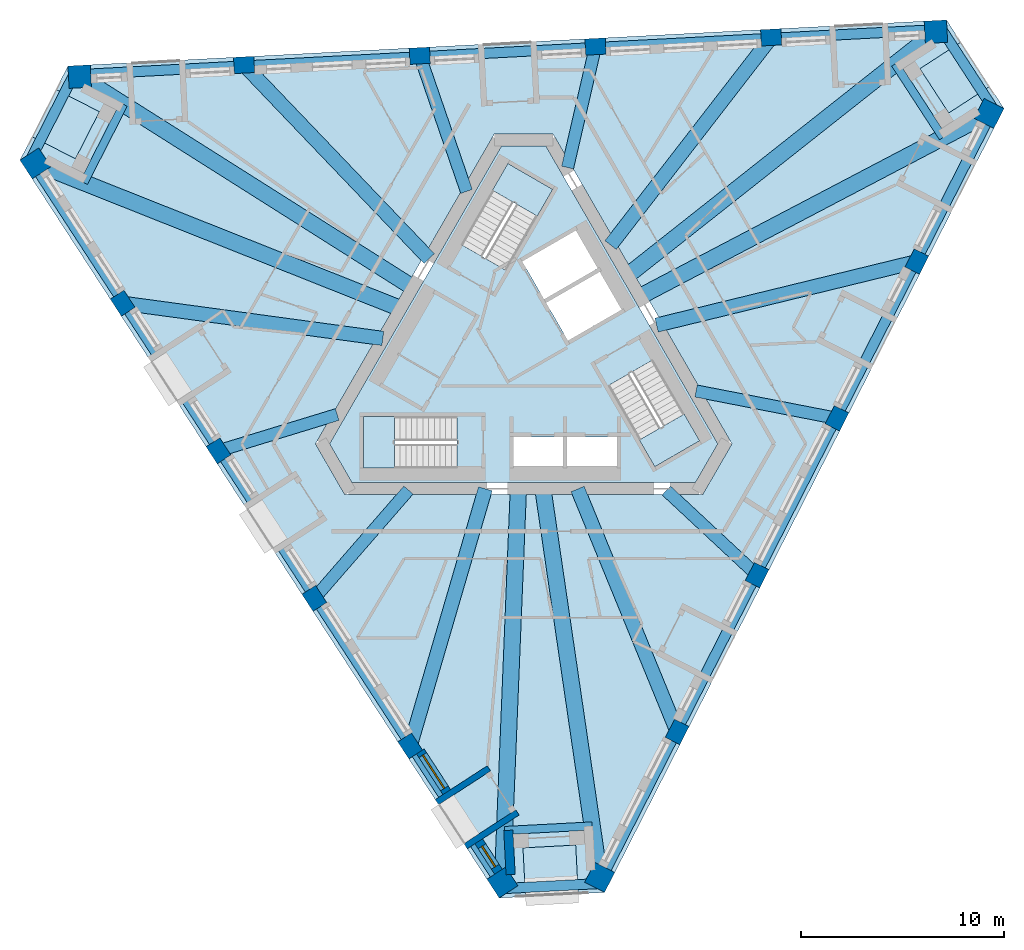
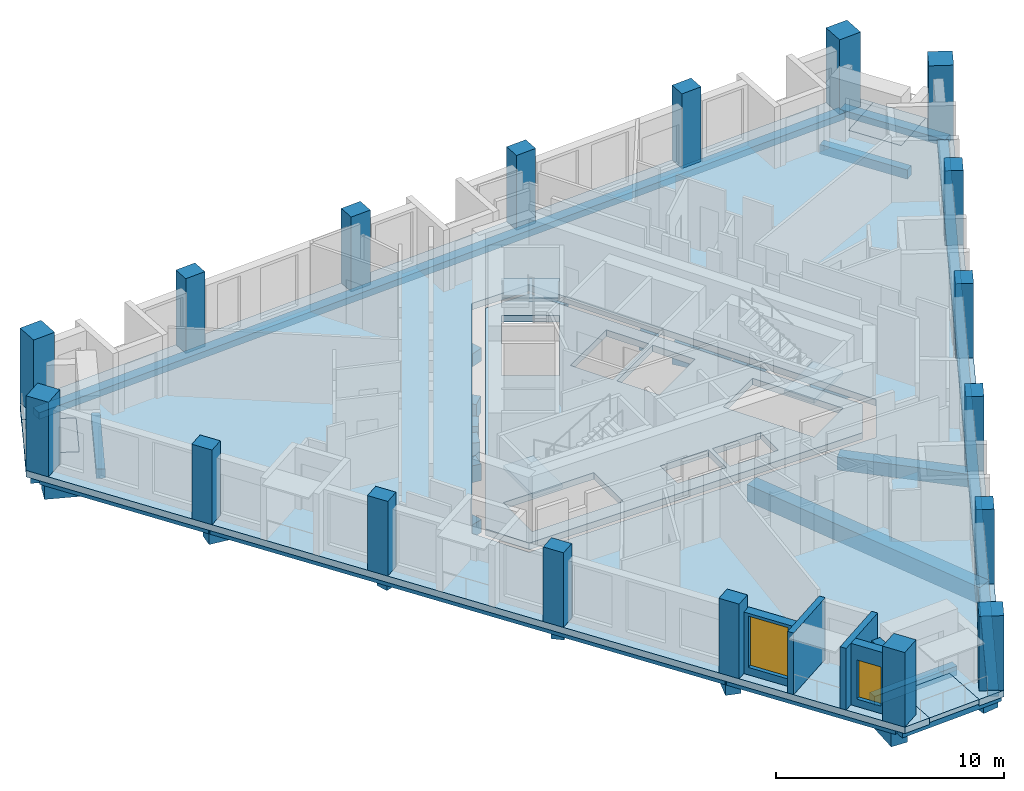
# One storey, part 1 of 13: 27 beams, 18 columns, 8 slabs, 5 walls, 2 windows, 2 openings, 3 elements without a shape of their own.
"""IFC4 building model written with IfcOpenShell, lengths in metres."""

from ifc_helpers import new_model, si_unit, direction, frame, frame_2d, origin, origin_2d, place, context, subcontext, project, spatial, polyline, rectangle, outline, extrude, material, layer, layer_set, material_profile, profile_set, type_object, element, fill, aggregate, save


model = new_model("IFC4")

# Units and contexts
model_context = context("Model", 3, precision=1e-05, world=origin(), true_north=direction((0.0, 1.0)))
body_context = subcontext(model_context, "Body", "Model", "MODEL_VIEW")
ifc_project = project(units=[si_unit("LENGTHUNIT", "METRE"), si_unit("AREAUNIT", "SQUARE_METRE"), si_unit("VOLUMEUNIT", "CUBIC_METRE"), si_unit("PLANEANGLEUNIT", "RADIAN"), si_unit("MASSUNIT", "GRAM", prefix="KILO")], contexts=[model_context])

# Site, building, storey
site_placement = place(None, origin())
site = spatial("IfcSite", under=ifc_project, at=site_placement, CompositionType="ELEMENT")
building_placement = place(site_placement, origin())
building = spatial("IfcBuilding", under=site, at=building_placement, Name="Tramontana Tower", CompositionType="ELEMENT")
storey_placement = place(building_placement, frame((0.0, 0.0, 286.39990234375)))
storey = spatial("IfcBuildingStorey", under=building, at=storey_placement, Name="L67", CompositionType="ELEMENT", Elevation=286.39990234375)

# Columns
ifc_material_1 = material(Name="Concrete 55 MPa", Category="concrete")
ifc_material_profile_1 = material_profile(ifc_material_1, rectangle(XDim=1.10009765625, YDim=1.10009765625, at=origin_2d()), Name="Mega column 1100X1100 55 MPa")
ifc_profile_set_1 = profile_set([ifc_material_profile_1], Name="Concrete 55 MPa")
column_type_1 = type_object("IfcColumnType", Name="Mega column 1100X1100 55 MPa", PredefinedType="COLUMN", material=ifc_profile_set_1)
for number, where, z_axis, x_axis, name in (
    (1, (-24.0302734375, 9.55419921875, 0.0), (0.0, 0.0, 1.0), (0.544639035015, -0.838670567945, 0.0), "Mega column C7K1 L67"),
    (2, (-1.0458984375, -25.8388671875, 0.0), (0.0, 0.0, 1.0), (0.544639035015, -0.838670567945, 0.0), "Mega column C7K2 L67"),
    (3, (3.740966796875, -25.587890625, 0.0), (0.0, 0.0, 1.0), (0.45399049974, 0.891006524188, 0.0), "Mega column C7K3 L67"),
    (4, (22.900146484375, 12.013671875, 0.0), (0.0, 0.0, 1.0), (0.45399049974, 0.891006524188, 0.0), "Mega column C7K4 L67"),
    (5, (20.289306640625, 16.033935546875, 0.0), (0.0, 0.0, 1.0), (-0.998629534755, -0.052335956243, 0.0), "Mega column C7K5 L67"),
    (6, (-21.854248046875, 13.8251953125, 0.0), (0.0, 0.0, 1.0), (-0.998629534755, -0.052335956243, 0.0), "Mega column C7K6 L67"),
):
    element("IfcColumn", number, at=place(storey_placement, frame(where, z_axis=z_axis, x_axis=x_axis)), inside=storey, type_object=column_type_1, Name=name, PredefinedType="COLUMN", context=body_context, shape_type="SweptSolid", body=[
        extrude(rectangle(XDim=1.10009765625, YDim=1.10009765625, at=origin_2d()), origin(), (0.0, 0.0, 1.0), 4.0),
    ])
ifc_material_2 = material(Name="Concrete 55 MPa", Category="concrete")
ifc_material_profile_2 = material_profile(ifc_material_2, rectangle(XDim=1.0, YDim=0.800048828125, at=origin_2d()), Name="Pier column 1000X800 55 MPa")
ifc_profile_set_2 = profile_set([ifc_material_profile_2], Name="Concrete 55 MPa")
column_type_2 = type_object("IfcColumnType", Name="Pier column 1000X800 55 MPa", PredefinedType="COLUMN", material=ifc_profile_set_2)
for number, where, z_axis, x_axis, name in (
    (7, (-19.739013671875, 2.670654296875, 0.0), (0.0, 0.0, 1.0), (0.544639035015, -0.838670567945, 0.0), "Pier column C7F01 L67"),
    (8, (-15.022216796875, -4.592529296875, 0.0), (0.0, 0.0, 1.0), (0.544639035015, -0.838670567945, 0.0), "Pier column C7F02 L67"),
    (9, (-10.3056640625, -11.855712890625, 0.0), (0.0, 0.0, 1.0), (0.544639035015, -0.838670567945, 0.0), "Pier column C7F03 L67"),
    (10, (-5.5888671875, -19.11865234375, 0.0), (0.0, 0.0, 1.0), (0.544639035015, -0.838670567945, 0.0), "Pier column C7F04 L67"),
    (11, (7.556640625, -18.4296875, 0.0), (0.0, 0.0, 1.0), (0.45399049974, 0.891006524188, 0.0), "Pier column C7F05 L67"),
    (12, (11.48828125, -10.71337890625, 0.0), (0.0, 0.0, 1.0), (0.45399049974, 0.891006524188, 0.0), "Pier column C7F06 L67"),
    (13, (15.419921875, -2.9970703125, 0.0), (0.0, 0.0, 1.0), (0.45399049974, 0.891006524188, 0.0), "Pier column C7F07 L67"),
    (14, (19.351806640625, 4.71923828125, 0.0), (0.0, 0.0, 1.0), (0.45399049974, 0.891006524188, 0.0), "Pier column C7F08 L67"),
    (15, (12.182373046875, 15.75927734375, 0.0), (0.0, 0.0, 1.0), (-0.998629534755, -0.052335956243, 0.0), "Pier column C7F09 L67"),
    (16, (3.533935546875, 15.305908203125, 0.0), (0.0, 0.0, 1.0), (-0.998629534755, -0.052335956243, 0.0), "Pier column C7F10 L67"),
    (17, (-5.114501953125, 14.852783203125, 0.0), (0.0, 0.0, 1.0), (-0.998629534755, -0.052335956243, 0.0), "Pier column C7F11 L67"),
    (18, (-13.762939453125, 14.3994140625, 0.0), (0.0, 0.0, 1.0), (-0.998629534755, -0.052335956243, 0.0), "Pier column C7F12 L67"),
):
    element("IfcColumn", number, at=place(storey_placement, frame(where, z_axis=z_axis, x_axis=x_axis)), inside=storey, type_object=column_type_2, Name=name, PredefinedType="COLUMN", context=body_context, shape_type="SweptSolid", body=[
        extrude(rectangle(XDim=1.0, YDim=0.800048828125, at=origin_2d()), origin(), (0.0, 0.0, 1.0), 4.0),
    ])

# Beams
ifc_material_3 = material(Name="Concrete 40 MPa", Category="concrete")
ifc_material_profile_3 = material_profile(ifc_material_3, rectangle(XDim=0.5, YDim=0.35009765625, at=origin_2d()), Name="RC EDGE BEAM 500X350 40 MPa")
ifc_profile_set_3 = profile_set([ifc_material_profile_3], Name="Concrete 40 MPa")
beam_type_1 = type_object("IfcBeamType", Name="RC EDGE BEAM 500X350 40 MPa", PredefinedType="SPANDREL", material=ifc_profile_set_3)
beam_1_placement = place(storey_placement, frame((-24.1142578125, 9.499755859375, -0.52490234375), z_axis=(0.544636517119, -0.838672203081, 0.0), x_axis=(0.838672203081, 0.544636517119, 0.0)))
element("IfcBeam", 19, at=beam_1_placement, inside=storey, type_object=beam_type_1, Name="Spandrel beam S0 L67", PredefinedType="SPANDREL", context=body_context, shape_type="SweptSolid", body=[
    extrude(rectangle(XDim=0.5, YDim=0.35009765625, at=origin_2d()), origin(), (0.0, 0.0, 1.0), 42.201416015625),
])
beam_2_placement = place(storey_placement, frame((3.830078125, -25.63330078125, -0.52490234375), z_axis=(0.453990170761, 0.891006691811, 0.0), x_axis=(-0.891006691811, 0.453990170761, 0.0)))
element("IfcBeam", 20, at=beam_2_placement, inside=storey, type_object=beam_type_1, Name="Spandrel beam S1 L67", PredefinedType="SPANDREL", context=body_context, shape_type="SweptSolid", body=[
    extrude(rectangle(XDim=0.5, YDim=0.35009765625, at=origin_2d()), origin(), (0.0, 0.0, 1.0), 42.201171875),
])
beam_3_placement = place(storey_placement, frame((20.2841796875, 16.1337890625, -0.52490234375), z_axis=(-0.998629423141, -0.052338085918, 0.0), x_axis=(0.052338085918, -0.998629423141, 0.0)))
element("IfcBeam", 21, at=beam_3_placement, inside=storey, type_object=beam_type_1, Name="Spandrel beam S2 L67", PredefinedType="SPANDREL", context=body_context, shape_type="SweptSolid", body=[
    extrude(rectangle(XDim=0.5, YDim=0.35009765625, at=origin_2d()), origin(), (0.0, 0.0, 1.0), 42.201416015625),
])
for number, where, z_axis, x_axis, name in (
    (22, (-22.03125, 14.141357421875, -0.52490234375), (-0.453966603753, -0.891018699398, 0.0), (0.891018699398, -0.453966603753, 0.0), "Spandrel beam K0 L67"),
    (23, (-1.231201171875, -26.150390625, -0.52490234375), (0.99862935635, 0.05233936029, 0.0), (-0.05233936029, 0.99862935635, 0.0), "Spandrel beam K1 L67"),
    (24, (23.262451171875, 12.0087890625, -0.52490234375), (-0.544641495757, 0.838668969916, 0.0), (-0.838668969916, -0.544641495757, 0.0), "Spandrel beam K2 L67"),
):
    element("IfcBeam", number, at=place(storey_placement, frame(where, z_axis=z_axis, x_axis=x_axis)), inside=storey, type_object=beam_type_1, Name=name, PredefinedType="SPANDREL", context=body_context, shape_type="SweptSolid", body=[
        extrude(rectangle(XDim=0.5, YDim=0.35009765625, at=origin_2d()), origin(), (0.0, 0.0, 1.0), 5.1962890625),
    ])
ifc_material_4 = material(Name="Concrete 40 MPa", Category="concrete")
ifc_material_profile_4 = material_profile(ifc_material_4, rectangle(XDim=0.60009765625, YDim=0.699951171875, at=origin_2d()), Name="RC GIRDER 600X700 40 MPa")
ifc_profile_set_4 = profile_set([ifc_material_profile_4], Name="Concrete 40 MPa")
beam_type_2 = type_object("IfcBeamType", Name="RC GIRDER 600X700 40 MPa", PredefinedType="BEAM", material=ifc_profile_set_4)
beam_4_placement = place(storey_placement, frame((-15.022216796875, -4.592529296875, -0.699951171875), z_axis=(0.956311245936, 0.292350476137, 0.0), x_axis=(-0.292350476137, 0.956311245936, 0.0)))
element("IfcBeam", 25, at=beam_4_placement, inside=storey, type_object=beam_type_2, Name="Radial girder C7F02 L67", PredefinedType="BEAM", context=body_context, shape_type="SweptSolid", body=[
    extrude(rectangle(XDim=0.60009765625, YDim=0.699951171875, at=origin_2d()), origin(), (0.0, 0.0, 1.0), 6.111328125),
])
beam_5_placement = place(storey_placement, frame((-10.3056640625, -11.855712890625, -0.699951171875), z_axis=(0.656054652409, 0.754713384705, 0.0), x_axis=(-0.754713384705, 0.656054652409, 0.0)))
element("IfcBeam", 26, at=beam_5_placement, inside=storey, type_object=beam_type_2, Name="Radial girder C7F03 L67", PredefinedType="BEAM", context=body_context, shape_type="SweptSolid", body=[
    extrude(rectangle(XDim=0.60009765625, YDim=0.699951171875, at=origin_2d()), origin(), (0.0, 0.0, 1.0), 7.06494140625),
])
beam_6_placement = place(storey_placement, frame((11.48828125, -10.71337890625, -0.699951171875), z_axis=(-0.731344808312, 0.682007896843, 0.0), x_axis=(-0.682007896843, -0.731344808312, 0.0)))
element("IfcBeam", 27, at=beam_6_placement, inside=storey, type_object=beam_type_2, Name="Radial girder C7F06 L67", PredefinedType="BEAM", context=body_context, shape_type="SweptSolid", body=[
    extrude(rectangle(XDim=0.60009765625, YDim=0.699951171875, at=origin_2d()), origin(), (0.0, 0.0, 1.0), 6.111328125),
])
beam_7_placement = place(storey_placement, frame((15.419921875, -2.9970703125, -0.699951171875), z_axis=(-0.981630853668, 0.190790112761, 0.0), x_axis=(-0.190790112761, -0.981630853668, 0.0)))
element("IfcBeam", 28, at=beam_7_placement, inside=storey, type_object=beam_type_2, Name="Radial girder C7F07 L67", PredefinedType="BEAM", context=body_context, shape_type="SweptSolid", body=[
    extrude(rectangle(XDim=0.60009765625, YDim=0.699951171875, at=origin_2d()), origin(), (0.0, 0.0, 1.0), 7.06494140625),
])
beam_8_placement = place(storey_placement, frame((3.533935546875, 15.305908203125, -0.699951171875), z_axis=(-0.224955788451, -0.974368971818, 0.0), x_axis=(0.974368971818, -0.224955788451, 0.0)))
element("IfcBeam", 29, at=beam_8_placement, inside=storey, type_object=beam_type_2, Name="Radial girder C7F10 L67", PredefinedType="BEAM", context=body_context, shape_type="SweptSolid", body=[
    extrude(rectangle(XDim=0.60009765625, YDim=0.699951171875, at=origin_2d()), origin(), (0.0, 0.0, 1.0), 6.111328125),
])
beam_9_placement = place(storey_placement, frame((-5.114501953125, 14.852783203125, -0.699951171875), z_axis=(0.325583843266, -0.945513173364, 0.0), x_axis=(0.945513173364, 0.325583843266, 0.0)))
element("IfcBeam", 30, at=beam_9_placement, inside=storey, type_object=beam_type_2, Name="Radial girder C7F11 L67", PredefinedType="BEAM", context=body_context, shape_type="SweptSolid", body=[
    extrude(rectangle(XDim=0.60009765625, YDim=0.699951171875, at=origin_2d()), origin(), (0.0, 0.0, 1.0), 7.065185546875),
])
ifc_material_5 = material(Name="Concrete 40 MPa", Category="concrete")
ifc_material_profile_5 = material_profile(ifc_material_5, rectangle(XDim=0.699951171875, YDim=0.89990234375, at=origin_2d()), Name="RC GIRDER 700X900 40 MPa")
ifc_profile_set_5 = profile_set([ifc_material_profile_5], Name="Concrete 40 MPa")
beam_type_3 = type_object("IfcBeamType", Name="RC GIRDER 700X900 40 MPa", PredefinedType="BEAM", material=ifc_profile_set_5)
beam_10_placement = place(storey_placement, frame((-19.739013671875, 2.670654296875, -0.7998046875), z_axis=(0.990971820042, -0.134070324396, 0.0), x_axis=(0.134070324396, 0.990971820042, 0.0)))
element("IfcBeam", 31, at=beam_10_placement, inside=storey, type_object=beam_type_3, Name="Radial girder C7F01 L67", PredefinedType="BEAM", context=body_context, shape_type="SweptSolid", body=[
    extrude(rectangle(XDim=0.699951171875, YDim=0.89990234375, at=origin_2d()), origin(), (0.0, 0.0, 1.0), 12.923583984375),
])
beam_11_placement = place(storey_placement, frame((-5.5888671875, -19.11865234375, -0.7998046875), z_axis=(0.280592184152, 0.959827081402, 0.0), x_axis=(-0.959827081402, 0.280592184152, 0.0)))
element("IfcBeam", 32, at=beam_11_placement, inside=storey, type_object=beam_type_3, Name="Radial girder C7F04 L67", PredefinedType="BEAM", context=body_context, shape_type="SweptSolid", body=[
    extrude(rectangle(XDim=0.699951171875, YDim=0.89990234375, at=origin_2d()), origin(), (0.0, 0.0, 1.0), 13.186279296875),
])
beam_12_placement = place(storey_placement, frame((7.556640625, -18.4296875, -0.7998046875), z_axis=(-0.379376408021, 0.925242422848, 0.0), x_axis=(-0.925242422848, -0.379376408021, 0.0)))
element("IfcBeam", 33, at=beam_12_placement, inside=storey, type_object=beam_type_3, Name="Radial girder C7F05 L67", PredefinedType="BEAM", context=body_context, shape_type="SweptSolid", body=[
    extrude(rectangle(XDim=0.699951171875, YDim=0.89990234375, at=origin_2d()), origin(), (0.0, 0.0, 1.0), 12.92333984375),
])
beam_13_placement = place(storey_placement, frame((19.351806640625, 4.71923828125, -0.7998046875), z_axis=(-0.971531149173, -0.2369118532, 0.0), x_axis=(0.2369118532, -0.971531149173, 0.0)))
element("IfcBeam", 34, at=beam_13_placement, inside=storey, type_object=beam_type_3, Name="Radial girder C7F08 L67", PredefinedType="BEAM", context=body_context, shape_type="SweptSolid", body=[
    extrude(rectangle(XDim=0.699951171875, YDim=0.89990234375, at=origin_2d()), origin(), (0.0, 0.0, 1.0), 13.1865234375),
])
beam_14_placement = place(storey_placement, frame((12.182373046875, 15.75927734375, -0.7998046875), z_axis=(-0.611594268049, -0.791171568808, 0.0), x_axis=(0.791171568808, -0.611594268049, 0.0)))
element("IfcBeam", 35, at=beam_14_placement, inside=storey, type_object=beam_type_3, Name="Radial girder C7F09 L67", PredefinedType="BEAM", context=body_context, shape_type="SweptSolid", body=[
    extrude(rectangle(XDim=0.699951171875, YDim=0.89990234375, at=origin_2d()), origin(), (0.0, 0.0, 1.0), 12.923583984375),
])
beam_15_placement = place(storey_placement, frame((-13.762939453125, 14.3994140625, -0.7998046875), z_axis=(0.69094809316, -0.722904373039, 0.0), x_axis=(0.722904373039, 0.69094809316, 0.0)))
element("IfcBeam", 36, at=beam_15_placement, inside=storey, type_object=beam_type_3, Name="Radial girder C7F12 L67", PredefinedType="BEAM", context=body_context, shape_type="SweptSolid", body=[
    extrude(rectangle(XDim=0.699951171875, YDim=0.89990234375, at=origin_2d()), origin(), (0.0, 0.0, 1.0), 13.186279296875),
])
ifc_material_6 = material(Name="Concrete 40 MPa", Category="concrete")
ifc_material_profile_6 = material_profile(ifc_material_6, rectangle(XDim=0.800048828125, YDim=1.10009765625, at=origin_2d()), Name="RC GIRDER 800X1100 40 MPa")
ifc_profile_set_6 = profile_set([ifc_material_profile_6], Name="Concrete 40 MPa")
beam_type_4 = type_object("IfcBeamType", Name="RC GIRDER 800X1100 40 MPa", PredefinedType="BEAM", material=ifc_profile_set_6)
beam_16_placement = place(storey_placement, frame((-24.030517578125, 9.55419921875, -0.89990234375), z_axis=(0.929246961318, -0.369459178912, 0.0), x_axis=(0.369459178912, 0.929246961318, 0.0)))
element("IfcBeam", 37, at=beam_16_placement, inside=storey, type_object=beam_type_4, Name="Radial girder C7K1 L67", PredefinedType="BEAM", context=body_context, shape_type="SweptSolid", body=[
    extrude(rectangle(XDim=0.800048828125, YDim=1.10009765625, at=origin_2d()), origin(), (0.0, 0.0, 1.0), 19.33837890625),
])
beam_17_placement = place(storey_placement, frame((-1.0458984375, -25.8388671875, -0.89990234375), z_axis=(0.040449893492, 0.999181568143, 0.0), x_axis=(-0.999181568143, 0.040449893492, 0.0)))
element("IfcBeam", 38, at=beam_17_placement, inside=storey, type_object=beam_type_4, Name="Radial girder C7K2 L67", PredefinedType="BEAM", context=body_context, shape_type="SweptSolid", body=[
    extrude(rectangle(XDim=0.800048828125, YDim=1.10009765625, at=origin_2d()), origin(), (0.0, 0.0, 1.0), 19.404541015625),
])
beam_18_placement = place(storey_placement, frame((3.7412109375, -25.587890625, -0.89990234375), z_axis=(-0.144667438406, 0.989480334451, 0.0), x_axis=(-0.989480334451, -0.144667438406, 0.0)))
element("IfcBeam", 39, at=beam_18_placement, inside=storey, type_object=beam_type_4, Name="Radial girder C7K3 L67", PredefinedType="BEAM", context=body_context, shape_type="SweptSolid", body=[
    extrude(rectangle(XDim=0.800048828125, YDim=1.10009765625, at=origin_2d()), origin(), (0.0, 0.0, 1.0), 19.338134765625),
])
beam_19_placement = place(storey_placement, frame((22.89990234375, 12.013671875, -0.89990234375), z_axis=(-0.885538061337, -0.46456683257, 0.0), x_axis=(0.46456683257, -0.885538061337, 0.0)))
element("IfcBeam", 40, at=beam_19_placement, inside=storey, type_object=beam_type_4, Name="Radial girder C7K4 L67", PredefinedType="BEAM", context=body_context, shape_type="SweptSolid", body=[
    extrude(rectangle(XDim=0.800048828125, YDim=1.10009765625, at=origin_2d()), origin(), (0.0, 0.0, 1.0), 19.404296875),
])
beam_20_placement = place(storey_placement, frame((20.289306640625, 16.03369140625, -0.89990234375), z_axis=(-0.784585689125, -0.620020400003, 0.0), x_axis=(0.620020400003, -0.784585689125, 0.0)))
element("IfcBeam", 41, at=beam_20_placement, inside=storey, type_object=beam_type_4, Name="Radial girder C7K5 L67", PredefinedType="BEAM", context=body_context, shape_type="SweptSolid", body=[
    extrude(rectangle(XDim=0.800048828125, YDim=1.10009765625, at=origin_2d()), origin(), (0.0, 0.0, 1.0), 19.338134765625),
])
beam_21_placement = place(storey_placement, frame((-21.85400390625, 13.8251953125, -0.89990234375), z_axis=(0.845090437102, -0.53462337502, 0.0), x_axis=(0.53462337502, 0.845090437102, 0.0)))
element("IfcBeam", 42, at=beam_21_placement, inside=storey, type_object=beam_type_4, Name="Radial girder C7K6 L67", PredefinedType="BEAM", context=body_context, shape_type="SweptSolid", body=[
    extrude(rectangle(XDim=0.800048828125, YDim=1.10009765625, at=origin_2d()), origin(), (0.0, 0.0, 1.0), 19.404296875),
])
ifc_material_7 = material(Name="Concrete 40 MPa", Category="concrete")
ifc_material_profile_7 = material_profile(ifc_material_7, rectangle(XDim=0.39990234375, YDim=0.5, at=origin_2d()), Name="RC TRIM BEAM 400X500 40 MPa")
ifc_profile_set_7 = profile_set([ifc_material_profile_7], Name="Concrete 40 MPa")
beam_type_5 = type_object("IfcBeamType", Name="RC TRIM BEAM 400X500 40 MPa", PredefinedType="JOIST", material=ifc_profile_set_7)
for number, where, z_axis, x_axis, name in (
    (43, (-19.69091796875, 12.456787109375, -0.599853515625), (-0.454006220993, -0.890998513635, 0.0), (0.890998513635, -0.454006220993, 0.0), "Trimmer beam K0 L67"),
    (44, (-0.9423828125, -23.28125, -0.599853515625), (0.998629204559, 0.052342256377, 0.0), (-0.052342256377, 0.998629204559, 0.0), "Trimmer beam K1 L67"),
    (45, (20.63330078125, 10.824462890625, -0.599853515625), (-0.544628679426, 0.838677292853, 0.0), (-0.838677292853, -0.544628679426, 0.0), "Trimmer beam K2 L67"),
):
    element("IfcBeam", number, at=place(storey_placement, frame(where, z_axis=z_axis, x_axis=x_axis)), inside=storey, type_object=beam_type_5, Name=name, PredefinedType="JOIST", context=body_context, shape_type="SweptSolid", body=[
        extrude(rectangle(XDim=0.39990234375, YDim=0.5, at=origin_2d()), origin(), (0.0, 0.0, 1.0), 4.319091796875),
    ])

# Slabs
ifc_material_8 = material(Name="Precast concrete 50 MPa", Category="concrete")
ifc_layer_1 = layer(ifc_material_8, 0.25)
ifc_layer_set_1 = layer_set([ifc_layer_1], Name="LT1 Loggia floor tray 250")
slab_type_1 = type_object("IfcSlabType", Name="LT1 Loggia floor tray 250", PredefinedType="FLOOR", material=ifc_layer_set_1)
slab_1_placement = place(storey_placement, frame((0.0, 0.0, -0.25)))
element("IfcSlab", 46, at=slab_1_placement, inside=storey, type_object=slab_type_1, Name="Corner loggia floor L67 K70", PredefinedType="FLOOR", context=body_context, shape_type="SweptSolid", body=[
    extrude(outline(polyline([(-23.021484375, 13.18896484375), (-20.883056640625, 12.099365234375), (-22.0634765625, 9.782958984375), (-24.201904296875, 10.87255859375), (-23.021484375, 13.18896484375)])), origin(), (0.0, 0.0, 1.0), 0.25),
])
slab_2_placement = place(storey_placement, frame((0.0, 0.0, -0.25)))
element("IfcSlab", 47, at=slab_2_placement, inside=storey, type_object=slab_type_1, Name="Corner loggia floor L67 K71", PredefinedType="FLOOR", context=body_context, shape_type="SweptSolid", body=[
    extrude(outline(polyline([(0.088623046875, -26.53173828125), (-0.036865234375, -24.135009765625), (2.5595703125, -23.9990234375), (2.68505859375, -26.395751953125), (0.088623046875, -26.53173828125)])), origin(), (0.0, 0.0, 1.0), 0.25),
])
slab_3_placement = place(storey_placement, frame((0.0, 0.0, -0.25)))
element("IfcSlab", 48, at=slab_3_placement, inside=storey, type_object=slab_type_1, Name="Corner loggia floor L67 K72", PredefinedType="FLOOR", context=body_context, shape_type="SweptSolid", body=[
    extrude(outline(polyline([(22.932861328125, 13.3427734375), (20.919921875, 12.03564453125), (19.50390625, 14.216064453125), (21.516845703125, 15.523193359375), (22.932861328125, 13.3427734375)])), origin(), (0.0, 0.0, 1.0), 0.25),
])
ifc_material_9 = material(Name="Concrete 40 MPa", Category="concrete")
ifc_layer_2 = layer(ifc_material_9, 0.35009765625)
ifc_layer_set_2 = layer_set([ifc_layer_2], Name="PT FLAT SLAB 350 40 MPa")
slab_type_2 = type_object("IfcSlabType", Name="PT FLAT SLAB 350 40 MPa", PredefinedType="FLOOR", material=ifc_layer_set_2)
slab_4_placement = place(storey_placement, frame((0.0, 0.0, -0.349853515625)))
element("IfcSlab", 49, at=slab_4_placement, inside=storey, type_object=slab_type_2, Name="Floor slab L67", PredefinedType="FLOOR", context=body_context, shape_type="SweptSolid", body=[
    extrude(outline(polyline([(21.5166015625, 15.523193359375), (19.50390625, 14.216064453125), (20.919921875, 12.035400390625), (22.932861328125, 13.3427734375), (23.639892578125, 12.25390625), (3.9814453125, -26.32763671875), (2.68505859375, -26.3955078125), (2.5595703125, -23.998779296875), (-0.036865234375, -24.135009765625), (0.088623046875, -26.53173828125), (-1.20751953125, -26.599609375), (-24.791259765625, 9.7158203125), (-24.201904296875, 10.872314453125), (-22.0634765625, 9.782958984375), (-20.883056640625, 12.099609375), (-23.021484375, 13.189208984375), (-22.43212890625, 14.345703125), (20.809814453125, 16.61181640625), (21.5166015625, 15.523193359375)]), holes=[polyline([(-10.248046875, -4.25), (-8.8046875, -6.75), (8.8046875, -6.75), (10.248046875, -4.25), (1.443359375, 11.0), (-1.443359375, 11.0), (-10.248046875, -4.25)])]), origin(), (0.0, 0.0, 1.0), 0.349853515625),
])
slab_5_placement = place(storey_placement, frame((0.0, 0.0, -0.349853515625)))
element("IfcSlab", 50, at=slab_5_placement, inside=storey, type_object=slab_type_2, Name="Core floor slab L67", PredefinedType="FLOOR", context=body_context, shape_type="SweptSolid", body=[
    extrude(outline(polyline([(9.55517578125, -4.25), (8.458251953125, -6.14990234375), (-8.458251953125, -6.14990234375), (-9.55517578125, -4.25), (-1.096923828125, 10.39990234375), (1.096923828125, 10.39990234375), (9.55517578125, -4.25)]), holes=[polyline([(8.659912109375, -4.099365234375), (6.35986328125, -0.115478515625), (4.151611328125, -1.390625), (6.451416015625, -5.374267578125), (8.659912109375, -4.099365234375)]), polyline([(3.829833984375, 4.2666015625), (1.101806640625, 2.69140625), (2.177001953125, 0.82958984375), (4.90478515625, 2.404541015625), (3.829833984375, 4.2666015625)]), polyline([(4.590087890625, -3.89990234375), (2.139892578125, -3.89990234375), (2.139892578125, -5.449951171875), (4.590087890625, -5.449951171875), (4.590087890625, -3.89990234375)]), polyline([(2.65478515625, 6.3017578125), (-0.072998046875, 4.726806640625), (1.001953125, 2.86474609375), (3.729736328125, 4.439697265625), (2.65478515625, 6.3017578125)]), polyline([(1.93994140625, -5.449951171875), (1.93994140625, -3.89990234375), (-0.510009765625, -3.89990234375), (-0.510009765625, -5.449951171875), (1.93994140625, -5.449951171875)]), polyline([(-0.77978515625, 9.54931640625), (-3.079833984375, 5.565673828125), (-0.87158203125, 4.29052734375), (1.428466796875, 8.2744140625), (-0.77978515625, 9.54931640625)]), polyline([(-7.8798828125, -5.449951171875), (-3.280029296875, -5.449951171875), (-3.280029296875, -2.89990234375), (-7.8798828125, -2.89990234375), (-7.8798828125, -5.449951171875)])]), origin(), (0.0, 0.0, 1.0), 0.349853515625),
])

# Stair, slab
ifc_material_10 = material(Name="Concrete 40 MPa", Category="concrete")
stair_type = type_object("IfcStairType", Name="EXIT STAIR 24 RISERS", PredefinedType="HALF_TURN_STAIR", material=ifc_material_10)
stair_1_placement = place(storey_placement, origin())
stair_1 = element("IfcStair", 51, at=stair_1_placement, inside=storey, type_object=stair_type, Name="L67 Exit stair ST1", PredefinedType="HALF_TURN_STAIR")
ifc_material_11 = material(Name="Concrete 40 MPa", Category="concrete")
ifc_layer_3 = layer(ifc_material_11, 0.199951171875)
ifc_layer_set_3 = layer_set([ifc_layer_3], Name="STAIR LANDING 200")
slab_type_3 = type_object("IfcSlabType", Name="STAIR LANDING 200", PredefinedType="LANDING", material=ifc_layer_set_3)
slab_6_placement = place(storey_placement, frame((0.0, 0.0, 1.800048828125)))
slab_6 = element("IfcSlab", 52, at=slab_6_placement, type_object=slab_type_3, Name="ST1 landing 1", PredefinedType="LANDING", context=body_context, shape_type="SweptSolid", body=[
    extrude(outline(polyline([(0.66845703125, 6.9580078125), (1.428466796875, 8.274169921875), (-0.77978515625, 9.54931640625), (-1.539794921875, 8.23291015625), (0.66845703125, 6.9580078125)])), origin(), (0.0, 0.0, 1.0), 0.199951171875),
])
aggregate(stair_1, [slab_6])

stair_2_placement = place(storey_placement, origin())
stair_2 = element("IfcStair", 53, at=stair_2_placement, inside=storey, type_object=stair_type, Name="L67 Exit stair ST2", PredefinedType="HALF_TURN_STAIR")
slab_7_placement = place(storey_placement, frame((0.0, 0.0, 1.800048828125)))
slab_7 = element("IfcSlab", 54, at=slab_7_placement, type_object=slab_type_3, Name="ST2 landing 1", PredefinedType="LANDING", context=body_context, shape_type="SweptSolid", body=[
    extrude(outline(polyline([(-6.360107421875, -2.89990234375), (-7.8798828125, -2.89990234375), (-7.8798828125, -5.449951171875), (-6.360107421875, -5.449951171875), (-6.360107421875, -2.89990234375)])), origin(), (0.0, 0.0, 1.0), 0.199951171875),
])
aggregate(stair_2, [slab_7])

stair_3_placement = place(storey_placement, origin())
stair_3 = element("IfcStair", 55, at=stair_3_placement, inside=storey, type_object=stair_type, Name="L67 Exit stair ST3", PredefinedType="HALF_TURN_STAIR")
slab_8_placement = place(storey_placement, frame((0.0, 0.0, 1.800048828125)))
slab_8 = element("IfcSlab", 56, at=slab_8_placement, type_object=slab_type_3, Name="ST3 landing 1", PredefinedType="LANDING", context=body_context, shape_type="SweptSolid", body=[
    extrude(outline(polyline([(5.69140625, -4.057861328125), (6.451416015625, -5.374267578125), (8.659912109375, -4.099365234375), (7.89990234375, -2.782958984375), (5.69140625, -4.057861328125)])), origin(), (0.0, 0.0, 1.0), 0.199951171875),
])
aggregate(stair_3, [slab_8])

# Wall, opening, window
ifc_material_12 = material(Name="Precast concrete 60 MPa", Category="concrete")
ifc_layer_4 = layer(ifc_material_12, 0.449951171875)
ifc_layer_set_4 = layer_set([ifc_layer_4], Name="Precast concrete 60 MPa, 450 mm")
wall_type_1 = type_object("IfcWallType", Name="EW1 Stone-faced precast wall 450", PredefinedType="SOLIDWALL", material=ifc_layer_set_4)
wall_1_placement = place(storey_placement, frame((-5.0859375, -19.38818359375, 0.0), z_axis=(0.0, 0.0, 1.0), x_axis=(0.544675520966, -0.838646872563, 0.0)))
wall_1 = element("IfcWall", 57, at=wall_1_placement, inside=storey, type_object=wall_type_1, Name="External wall L67 face 0 bay 5", PredefinedType="SOLIDWALL", context=body_context, shape_type="SweptSolid", body=[
    extrude(rectangle(XDim=2.38671875, YDim=0.449951171875, at=frame_2d((1.193359375, 0.0))), origin(), (0.0, 0.0, 1.0), 3.300048828125),
])
opening_1_placement = place(wall_1_placement, frame((0.21826171875, 0.0, 0.39990234375)))
opening_1 = element("IfcOpeningElement", 58, at=opening_1_placement, cuts=wall_1, Name="Opening M3", PredefinedType="OPENING", context=body_context, shape_type="SweptSolid", body=[
    extrude(rectangle(XDim=1.949951171875, YDim=2.75, at=frame_2d((0.97509765625, 1.375))), frame((0.0, 0.23486328125, 0.0), z_axis=(0.0, -1.0, 0.0), x_axis=(1.0, 0.0, 0.0)), (0.0, 0.0, 1.0), 0.469970703125),
])
ifc_material_13 = material(Name="Aluminum frame, double glazing unit", Category="aluminium")
window_type_1 = type_object("IfcWindowType", Name="M3 Window 1.95 x 2.75", PartitioningType="SINGLE_PANEL", PredefinedType="WINDOW", material=ifc_material_13)
window_1_placement = place(opening_1_placement, origin())
window_1 = element("IfcWindow", 59, at=window_1_placement, inside=storey, type_object=window_type_1, Name="Window M3 L67 face 0 module 13", OverallHeight=2.75, OverallWidth=1.949951171875, PartitioningType="SINGLE_PANEL", PredefinedType="WINDOW", context=body_context, shape_type="SweptSolid", body=[
    extrude(rectangle(XDim=1.949951171875, YDim=2.75, at=frame_2d((0.97509765625, 1.375))), frame((0.0, 0.030029296875, 0.0), z_axis=(0.0, -1.0, 0.0), x_axis=(1.0, 0.0, 0.0)), (0.0, 0.0, 1.0), 0.06005859375),
])
fill(opening_1, window_1)

wall_2_placement = place(storey_placement, frame((-2.2138671875, -23.81103515625, 0.0), z_axis=(0.0, 0.0, 1.0), x_axis=(0.544632902776, -0.838674550236, 0.0)))
wall_2 = element("IfcWall", 60, at=wall_2_placement, inside=storey, type_object=wall_type_1, Name="External wall L67 face 0 bay 5", PredefinedType="SOLIDWALL", context=body_context, shape_type="SweptSolid", body=[
    extrude(rectangle(XDim=1.786865234375, YDim=0.449951171875, at=frame_2d((0.8935546875, 0.0))), origin(), (0.0, 0.0, 1.0), 3.300048828125),
])
opening_2_placement = place(wall_2_placement, frame((0.29345703125, 0.0, 0.39990234375)))
opening_2 = element("IfcOpeningElement", 61, at=opening_2_placement, cuts=wall_2, Name="Opening N3L", PredefinedType="OPENING", context=body_context, shape_type="SweptSolid", body=[
    extrude(rectangle(XDim=1.199951171875, YDim=2.10009765625, at=frame_2d((0.60009765625, 1.050048828125))), frame((0.0, 0.23486328125, 0.0), z_axis=(0.0, -1.0, 0.0), x_axis=(1.0, 0.0, 0.0)), (0.0, 0.0, 1.0), 0.469970703125),
])
ifc_material_14 = material(Name="Aluminum frame, double glazing unit", Category="aluminium")
window_type_2 = type_object("IfcWindowType", Name="N3L Window 1.2 x 2.1", PartitioningType="SINGLE_PANEL", PredefinedType="WINDOW", material=ifc_material_14)
window_2_placement = place(opening_2_placement, origin())
window_2 = element("IfcWindow", 62, at=window_2_placement, inside=storey, type_object=window_type_2, Name="Window N3L L67 face 0 module 15", OverallHeight=2.10009765625, OverallWidth=1.199951171875, PartitioningType="SINGLE_PANEL", PredefinedType="WINDOW", context=body_context, shape_type="SweptSolid", body=[
    extrude(rectangle(XDim=1.199951171875, YDim=2.10009765625, at=frame_2d((0.60009765625, 1.050048828125))), frame((0.0, 0.030029296875, 0.0), z_axis=(0.0, -1.0, 0.0), x_axis=(1.0, 0.0, 0.0)), (0.0, 0.0, 1.0), 0.06005859375),
])
fill(opening_2, window_2)

# Walls
wall_3_placement = place(storey_placement, frame((-0.64404296875, -25.44775390625, 0.0), z_axis=(0.0, 0.0, 1.0), x_axis=(-0.052317751649, 0.998630488651, 0.0)))
element("IfcWall", 63, at=wall_3_placement, inside=storey, type_object=wall_type_1, Name="Corner loggia side wall L67 K71r", PredefinedType="SOLIDWALL", context=body_context, shape_type="SweptSolid", body=[
    extrude(rectangle(XDim=2.17919921875, YDim=0.449951171875, at=frame_2d((1.089599609375, 0.0))), origin(), (0.0, 0.0, 1.0), 2.550048828125),
])
ifc_material_15 = material(Name="Precast concrete 60 MPa", Category="concrete")
ifc_layer_5 = layer(ifc_material_15, 0.300048828125)
ifc_layer_set_5 = layer_set([ifc_layer_5], Name="LW1 Stone-faced loggia wall 300")
wall_type_2 = type_object("IfcWallType", Name="LW1 Stone-faced loggia wall 300", PredefinedType="SOLIDWALL", material=ifc_layer_set_5)
wall_4_placement = place(storey_placement, frame((-4.2705078125, -21.88330078125, 0.0), z_axis=(0.0, 0.0, 1.0), x_axis=(0.838688583525, 0.544611292451, 0.0)))
element("IfcWall", 64, at=wall_4_placement, inside=storey, type_object=wall_type_2, Name="Loggia return L67 G7S0.13a", PredefinedType="SOLIDWALL", context=body_context, shape_type="SweptSolid", body=[
    extrude(rectangle(XDim=3.050048828125, YDim=0.300048828125, at=frame_2d((1.52490234375, 0.0))), origin(), (0.0, 0.0, 1.0), 3.300048828125),
])
wall_5_placement = place(storey_placement, frame((-2.861572265625, -24.052734375, 0.0), z_axis=(0.0, 0.0, 1.0), x_axis=(0.838664840319, 0.544647854685, 0.0)))
element("IfcWall", 65, at=wall_5_placement, inside=storey, type_object=wall_type_2, Name="Loggia return L67 G7S0.13b", PredefinedType="SOLIDWALL", context=body_context, shape_type="SweptSolid", body=[
    extrude(rectangle(XDim=3.0498046875, YDim=0.300048828125, at=frame_2d((1.52490234375, 0.0))), origin(), (0.0, 0.0, 1.0), 3.300048828125),
])

save(model, "model.ifc")
